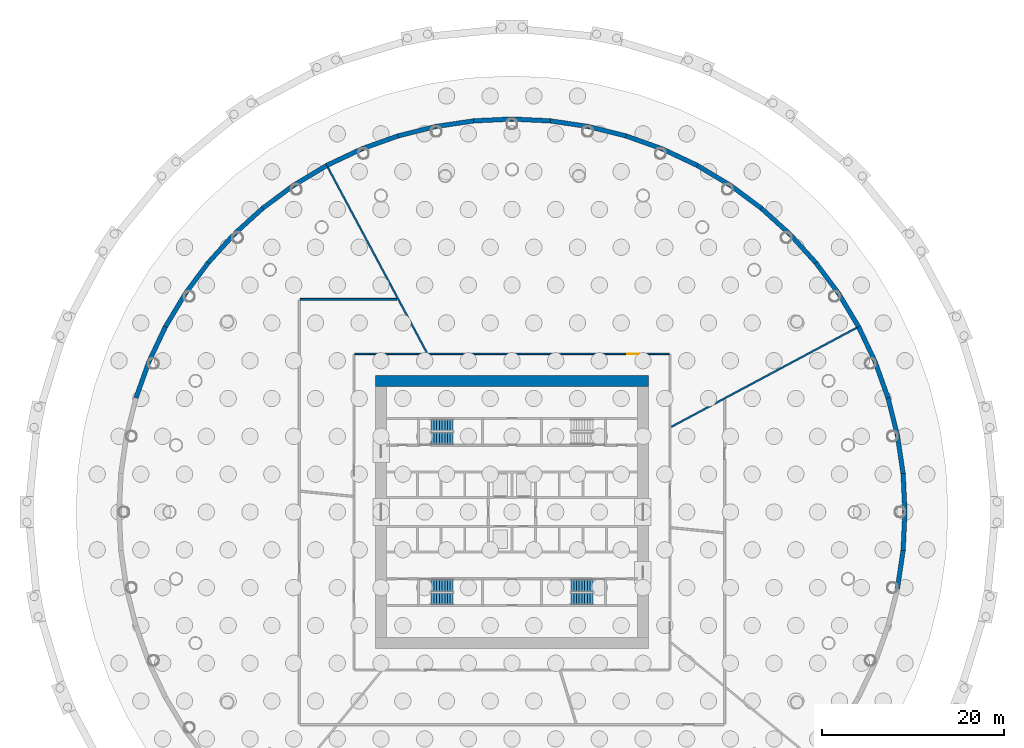
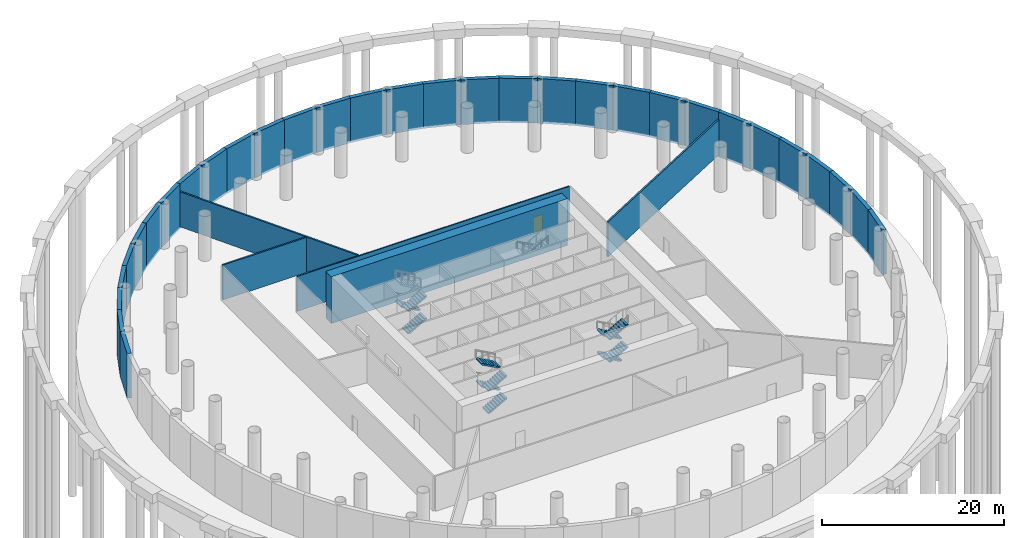
# One storey, part 8 of 12: 36 walls, 11 stair flights, 1 door, 1 opening, 3 elements without a shape of their own.
"""IFC4 building model written with IfcOpenShell, lengths in metres."""

from ifc_helpers import new_model, si_unit, direction, frame, frame_2d, origin, place, context, subcontext, project, spatial, polyline, rectangle, outline, extrude, material, layer, layer_set, type_object, element, fill, aggregate, save


model = new_model("IFC4")

# Units and contexts
model_context = context("Model", 3, precision=1e-05, world=origin(), true_north=direction((0.0, 1.0)))
body_context = subcontext(model_context, "Body", "Model", "MODEL_VIEW")
ifc_project = project(units=[si_unit("LENGTHUNIT", "METRE"), si_unit("AREAUNIT", "SQUARE_METRE"), si_unit("VOLUMEUNIT", "CUBIC_METRE"), si_unit("PLANEANGLEUNIT", "RADIAN"), si_unit("MASSUNIT", "GRAM", prefix="KILO")], contexts=[model_context])

# Site, building, storey
site_placement = place(None, origin())
site = spatial("IfcSite", under=ifc_project, at=site_placement, CompositionType="ELEMENT")
building_placement = place(site_placement, origin())
building = spatial("IfcBuilding", under=site, at=building_placement, Name="Corvane Civic Tower", CompositionType="ELEMENT")
storey_placement = place(building_placement, frame((0.0, 0.0, -6.0)))
storey = spatial("IfcBuildingStorey", under=building, at=storey_placement, Name="B1", CompositionType="ELEMENT", Elevation=-6.0)

# Walls
ifc_material_1 = material(Name="Concrete C40/50", Category="concrete")
ifc_layer_1 = layer(ifc_material_1, 0.5)
ifc_layer_set_1 = layer_set([ifc_layer_1], Name="Concrete C40/50")
wall_type_1 = type_object("IfcWallType", Name="BASEMENT RETAINING WALL 500", PredefinedType="SOLIDWALL", material=ifc_layer_set_1)
wall_1_placement = place(storey_placement, frame((0.0, 0.0, -0.300048828125)))
element("IfcWall", 1, at=wall_1_placement, inside=storey, type_object=wall_type_1, Name="Basement retaining wall 01", PredefinedType="SOLIDWALL", context=body_context, shape_type="SweptSolid", body=[
    extrude(outline(polyline([(0.0, 43.0), (-4.21484375, 42.79296875), (-4.263916015625, 43.291015625), (0.0, 43.50048828125), (0.0, 43.0)])), origin(), (0.0, 0.0, 1.0), 6.0),
])
wall_2_placement = place(storey_placement, frame((0.0, 0.0, -0.300048828125)))
element("IfcWall", 2, at=wall_2_placement, inside=storey, type_object=wall_type_1, Name="Basement retaining wall 02", PredefinedType="SOLIDWALL", context=body_context, shape_type="SweptSolid", body=[
    extrude(outline(polyline([(-4.21484375, 42.79296875), (-8.388916015625, 42.173828125), (-8.486572265625, 42.664794921875), (-4.263916015625, 43.291015625), (-4.21484375, 42.79296875)])), origin(), (0.0, 0.0, 1.0), 6.0),
])
wall_3_placement = place(storey_placement, frame((0.0, 0.0, -0.300048828125)))
element("IfcWall", 3, at=wall_3_placement, inside=storey, type_object=wall_type_1, Name="Basement retaining wall 03", PredefinedType="SOLIDWALL", context=body_context, shape_type="SweptSolid", body=[
    extrude(outline(polyline([(-8.388916015625, 42.173828125), (-12.482177734375, 41.1484375), (-12.62744140625, 41.62744140625), (-8.486572265625, 42.664794921875), (-8.388916015625, 42.173828125)])), origin(), (0.0, 0.0, 1.0), 6.0),
])
wall_4_placement = place(storey_placement, frame((0.0, 0.0, -0.300048828125)))
element("IfcWall", 4, at=wall_4_placement, inside=storey, type_object=wall_type_1, Name="Basement retaining wall 04", PredefinedType="SOLIDWALL", context=body_context, shape_type="SweptSolid", body=[
    extrude(outline(polyline([(-12.482177734375, 41.1484375), (-16.455322265625, 39.726806640625), (-16.64697265625, 40.189208984375), (-12.62744140625, 41.62744140625), (-12.482177734375, 41.1484375)])), origin(), (0.0, 0.0, 1.0), 6.0),
])
wall_5_placement = place(storey_placement, frame((0.0, 0.0, -0.300048828125)))
element("IfcWall", 5, at=wall_5_placement, inside=storey, type_object=wall_type_1, Name="Basement retaining wall 05", PredefinedType="SOLIDWALL", context=body_context, shape_type="SweptSolid", body=[
    extrude(outline(polyline([(-16.455322265625, 39.726806640625), (-20.27001953125, 37.922607421875), (-20.506103515625, 38.364013671875), (-16.64697265625, 40.189208984375), (-16.455322265625, 39.726806640625)])), origin(), (0.0, 0.0, 1.0), 6.0),
])
wall_6_placement = place(storey_placement, frame((0.0, 0.0, -0.300048828125)))
element("IfcWall", 6, at=wall_6_placement, inside=storey, type_object=wall_type_1, Name="Basement retaining wall 06", PredefinedType="SOLIDWALL", context=body_context, shape_type="SweptSolid", body=[
    extrude(outline(polyline([(-20.27001953125, 37.922607421875), (-23.889404296875, 35.753173828125), (-24.167724609375, 36.16943359375), (-20.506103515625, 38.364013671875), (-20.27001953125, 37.922607421875)])), origin(), (0.0, 0.0, 1.0), 6.0),
])
wall_7_placement = place(storey_placement, frame((0.0, 0.0, -0.300048828125)))
element("IfcWall", 7, at=wall_7_placement, inside=storey, type_object=wall_type_1, Name="Basement retaining wall 07", PredefinedType="SOLIDWALL", context=body_context, shape_type="SweptSolid", body=[
    extrude(outline(polyline([(-23.889404296875, 35.753173828125), (-27.27880859375, 33.239501953125), (-27.596435546875, 33.62646484375), (-24.167724609375, 36.16943359375), (-23.889404296875, 35.753173828125)])), origin(), (0.0, 0.0, 1.0), 6.0),
])
wall_8_placement = place(storey_placement, frame((0.0, 0.0, -0.300048828125)))
element("IfcWall", 8, at=wall_8_placement, inside=storey, type_object=wall_type_1, Name="Basement retaining wall 08", PredefinedType="SOLIDWALL", context=body_context, shape_type="SweptSolid", body=[
    extrude(outline(polyline([(-27.27880859375, 33.239501953125), (-30.405517578125, 30.405517578125), (-30.759521484375, 30.759521484375), (-27.596435546875, 33.62646484375), (-27.27880859375, 33.239501953125)])), origin(), (0.0, 0.0, 1.0), 6.0),
])
wall_9_placement = place(storey_placement, frame((0.0, 0.0, -0.300048828125)))
element("IfcWall", 9, at=wall_9_placement, inside=storey, type_object=wall_type_1, Name="Basement retaining wall 09", PredefinedType="SOLIDWALL", context=body_context, shape_type="SweptSolid", body=[
    extrude(outline(polyline([(-30.405517578125, 30.405517578125), (-33.239501953125, 27.27880859375), (-33.62646484375, 27.596435546875), (-30.759521484375, 30.759521484375), (-30.405517578125, 30.405517578125)])), origin(), (0.0, 0.0, 1.0), 6.0),
])
wall_10_placement = place(storey_placement, frame((0.0, 0.0, -0.300048828125)))
element("IfcWall", 10, at=wall_10_placement, inside=storey, type_object=wall_type_1, Name="Basement retaining wall 10", PredefinedType="SOLIDWALL", context=body_context, shape_type="SweptSolid", body=[
    extrude(outline(polyline([(-33.239501953125, 27.27880859375), (-35.753173828125, 23.889404296875), (-36.16943359375, 24.167724609375), (-33.62646484375, 27.596435546875), (-33.239501953125, 27.27880859375)])), origin(), (0.0, 0.0, 1.0), 6.0),
])
wall_11_placement = place(storey_placement, frame((0.0, 0.0, -0.300048828125)))
element("IfcWall", 11, at=wall_11_placement, inside=storey, type_object=wall_type_1, Name="Basement retaining wall 11", PredefinedType="SOLIDWALL", context=body_context, shape_type="SweptSolid", body=[
    extrude(outline(polyline([(-35.753173828125, 23.889404296875), (-37.922607421875, 20.27001953125), (-38.364013671875, 20.506103515625), (-36.16943359375, 24.167724609375), (-35.753173828125, 23.889404296875)])), origin(), (0.0, 0.0, 1.0), 6.0),
])
wall_12_placement = place(storey_placement, frame((0.0, 0.0, -0.300048828125)))
element("IfcWall", 12, at=wall_12_placement, inside=storey, type_object=wall_type_1, Name="Basement retaining wall 12", PredefinedType="SOLIDWALL", context=body_context, shape_type="SweptSolid", body=[
    extrude(outline(polyline([(-37.922607421875, 20.27001953125), (-39.726806640625, 16.455322265625), (-40.189208984375, 16.64697265625), (-38.364013671875, 20.506103515625), (-37.922607421875, 20.27001953125)])), origin(), (0.0, 0.0, 1.0), 6.0),
])
wall_13_placement = place(storey_placement, frame((0.0, 0.0, -0.300048828125)))
element("IfcWall", 13, at=wall_13_placement, inside=storey, type_object=wall_type_1, Name="Basement retaining wall 13", PredefinedType="SOLIDWALL", context=body_context, shape_type="SweptSolid", body=[
    extrude(outline(polyline([(-39.726806640625, 16.455322265625), (-41.1484375, 12.482177734375), (-41.62744140625, 12.62744140625), (-40.189208984375, 16.64697265625), (-39.726806640625, 16.455322265625)])), origin(), (0.0, 0.0, 1.0), 6.0),
])
wall_14_placement = place(storey_placement, frame((0.0, 0.0, -0.300048828125)))
element("IfcWall", 14, at=wall_14_placement, inside=storey, type_object=wall_type_1, Name="Basement retaining wall 47", PredefinedType="SOLIDWALL", context=body_context, shape_type="SweptSolid", body=[
    extrude(outline(polyline([(42.173828125, -8.388916015625), (42.79296875, -4.21484375), (43.291015625, -4.263916015625), (42.664794921875, -8.486572265625), (42.173828125, -8.388916015625)])), origin(), (0.0, 0.0, 1.0), 6.0),
])
wall_15_placement = place(storey_placement, frame((0.0, 0.0, -0.300048828125)))
element("IfcWall", 15, at=wall_15_placement, inside=storey, type_object=wall_type_1, Name="Basement retaining wall 48", PredefinedType="SOLIDWALL", context=body_context, shape_type="SweptSolid", body=[
    extrude(outline(polyline([(42.79296875, -4.21484375), (43.0, 0.0), (43.50048828125, 0.0), (43.291015625, -4.263916015625), (42.79296875, -4.21484375)])), origin(), (0.0, 0.0, 1.0), 6.0),
])
wall_16_placement = place(storey_placement, frame((0.0, 0.0, -0.300048828125)))
element("IfcWall", 16, at=wall_16_placement, inside=storey, type_object=wall_type_1, Name="Basement retaining wall 49", PredefinedType="SOLIDWALL", context=body_context, shape_type="SweptSolid", body=[
    extrude(outline(polyline([(43.0, 0.0), (42.79296875, 4.21484375), (43.291015625, 4.263916015625), (43.50048828125, 0.0), (43.0, 0.0)])), origin(), (0.0, 0.0, 1.0), 6.0),
])
wall_17_placement = place(storey_placement, frame((0.0, 0.0, -0.300048828125)))
element("IfcWall", 17, at=wall_17_placement, inside=storey, type_object=wall_type_1, Name="Basement retaining wall 50", PredefinedType="SOLIDWALL", context=body_context, shape_type="SweptSolid", body=[
    extrude(outline(polyline([(42.79296875, 4.21484375), (42.173828125, 8.388916015625), (42.664794921875, 8.486572265625), (43.291015625, 4.263916015625), (42.79296875, 4.21484375)])), origin(), (0.0, 0.0, 1.0), 6.0),
])
wall_18_placement = place(storey_placement, frame((0.0, 0.0, -0.300048828125)))
element("IfcWall", 18, at=wall_18_placement, inside=storey, type_object=wall_type_1, Name="Basement retaining wall 51", PredefinedType="SOLIDWALL", context=body_context, shape_type="SweptSolid", body=[
    extrude(outline(polyline([(42.173828125, 8.388916015625), (41.1484375, 12.482177734375), (41.62744140625, 12.62744140625), (42.664794921875, 8.486572265625), (42.173828125, 8.388916015625)])), origin(), (0.0, 0.0, 1.0), 6.0),
])
wall_19_placement = place(storey_placement, frame((0.0, 0.0, -0.300048828125)))
element("IfcWall", 19, at=wall_19_placement, inside=storey, type_object=wall_type_1, Name="Basement retaining wall 52", PredefinedType="SOLIDWALL", context=body_context, shape_type="SweptSolid", body=[
    extrude(outline(polyline([(41.1484375, 12.482177734375), (39.726806640625, 16.455322265625), (40.189208984375, 16.64697265625), (41.62744140625, 12.62744140625), (41.1484375, 12.482177734375)])), origin(), (0.0, 0.0, 1.0), 6.0),
])
wall_20_placement = place(storey_placement, frame((0.0, 0.0, -0.300048828125)))
element("IfcWall", 20, at=wall_20_placement, inside=storey, type_object=wall_type_1, Name="Basement retaining wall 53", PredefinedType="SOLIDWALL", context=body_context, shape_type="SweptSolid", body=[
    extrude(outline(polyline([(39.726806640625, 16.455322265625), (37.922607421875, 20.27001953125), (38.364013671875, 20.506103515625), (40.189208984375, 16.64697265625), (39.726806640625, 16.455322265625)])), origin(), (0.0, 0.0, 1.0), 6.0),
])
wall_21_placement = place(storey_placement, frame((0.0, 0.0, -0.300048828125)))
element("IfcWall", 21, at=wall_21_placement, inside=storey, type_object=wall_type_1, Name="Basement retaining wall 54", PredefinedType="SOLIDWALL", context=body_context, shape_type="SweptSolid", body=[
    extrude(outline(polyline([(37.922607421875, 20.27001953125), (35.753173828125, 23.889404296875), (36.16943359375, 24.167724609375), (38.364013671875, 20.506103515625), (37.922607421875, 20.27001953125)])), origin(), (0.0, 0.0, 1.0), 6.0),
])
wall_22_placement = place(storey_placement, frame((0.0, 0.0, -0.300048828125)))
element("IfcWall", 22, at=wall_22_placement, inside=storey, type_object=wall_type_1, Name="Basement retaining wall 55", PredefinedType="SOLIDWALL", context=body_context, shape_type="SweptSolid", body=[
    extrude(outline(polyline([(35.753173828125, 23.889404296875), (33.239501953125, 27.27880859375), (33.62646484375, 27.596435546875), (36.16943359375, 24.167724609375), (35.753173828125, 23.889404296875)])), origin(), (0.0, 0.0, 1.0), 6.0),
])
wall_23_placement = place(storey_placement, frame((0.0, 0.0, -0.300048828125)))
element("IfcWall", 23, at=wall_23_placement, inside=storey, type_object=wall_type_1, Name="Basement retaining wall 56", PredefinedType="SOLIDWALL", context=body_context, shape_type="SweptSolid", body=[
    extrude(outline(polyline([(33.239501953125, 27.27880859375), (30.405517578125, 30.405517578125), (30.759521484375, 30.759521484375), (33.62646484375, 27.596435546875), (33.239501953125, 27.27880859375)])), origin(), (0.0, 0.0, 1.0), 6.0),
])
wall_24_placement = place(storey_placement, frame((0.0, 0.0, -0.300048828125)))
element("IfcWall", 24, at=wall_24_placement, inside=storey, type_object=wall_type_1, Name="Basement retaining wall 57", PredefinedType="SOLIDWALL", context=body_context, shape_type="SweptSolid", body=[
    extrude(outline(polyline([(30.405517578125, 30.405517578125), (27.27880859375, 33.239501953125), (27.596435546875, 33.62646484375), (30.759521484375, 30.759521484375), (30.405517578125, 30.405517578125)])), origin(), (0.0, 0.0, 1.0), 6.0),
])
wall_25_placement = place(storey_placement, frame((0.0, 0.0, -0.300048828125)))
element("IfcWall", 25, at=wall_25_placement, inside=storey, type_object=wall_type_1, Name="Basement retaining wall 58", PredefinedType="SOLIDWALL", context=body_context, shape_type="SweptSolid", body=[
    extrude(outline(polyline([(27.27880859375, 33.239501953125), (23.889404296875, 35.753173828125), (24.167724609375, 36.16943359375), (27.596435546875, 33.62646484375), (27.27880859375, 33.239501953125)])), origin(), (0.0, 0.0, 1.0), 6.0),
])
wall_26_placement = place(storey_placement, frame((0.0, 0.0, -0.300048828125)))
element("IfcWall", 26, at=wall_26_placement, inside=storey, type_object=wall_type_1, Name="Basement retaining wall 59", PredefinedType="SOLIDWALL", context=body_context, shape_type="SweptSolid", body=[
    extrude(outline(polyline([(23.889404296875, 35.753173828125), (20.27001953125, 37.922607421875), (20.506103515625, 38.364013671875), (24.167724609375, 36.16943359375), (23.889404296875, 35.753173828125)])), origin(), (0.0, 0.0, 1.0), 6.0),
])
wall_27_placement = place(storey_placement, frame((0.0, 0.0, -0.300048828125)))
element("IfcWall", 27, at=wall_27_placement, inside=storey, type_object=wall_type_1, Name="Basement retaining wall 60", PredefinedType="SOLIDWALL", context=body_context, shape_type="SweptSolid", body=[
    extrude(outline(polyline([(20.27001953125, 37.922607421875), (16.455322265625, 39.726806640625), (16.64697265625, 40.189208984375), (20.506103515625, 38.364013671875), (20.27001953125, 37.922607421875)])), origin(), (0.0, 0.0, 1.0), 6.0),
])
wall_28_placement = place(storey_placement, frame((0.0, 0.0, -0.300048828125)))
element("IfcWall", 28, at=wall_28_placement, inside=storey, type_object=wall_type_1, Name="Basement retaining wall 61", PredefinedType="SOLIDWALL", context=body_context, shape_type="SweptSolid", body=[
    extrude(outline(polyline([(16.455322265625, 39.726806640625), (12.482177734375, 41.1484375), (12.62744140625, 41.62744140625), (16.64697265625, 40.189208984375), (16.455322265625, 39.726806640625)])), origin(), (0.0, 0.0, 1.0), 6.0),
])
wall_29_placement = place(storey_placement, frame((0.0, 0.0, -0.300048828125)))
element("IfcWall", 29, at=wall_29_placement, inside=storey, type_object=wall_type_1, Name="Basement retaining wall 62", PredefinedType="SOLIDWALL", context=body_context, shape_type="SweptSolid", body=[
    extrude(outline(polyline([(12.482177734375, 41.1484375), (8.388916015625, 42.173828125), (8.486572265625, 42.664794921875), (12.62744140625, 41.62744140625), (12.482177734375, 41.1484375)])), origin(), (0.0, 0.0, 1.0), 6.0),
])
wall_30_placement = place(storey_placement, frame((0.0, 0.0, -0.300048828125)))
element("IfcWall", 30, at=wall_30_placement, inside=storey, type_object=wall_type_1, Name="Basement retaining wall 63", PredefinedType="SOLIDWALL", context=body_context, shape_type="SweptSolid", body=[
    extrude(outline(polyline([(8.388916015625, 42.173828125), (4.21484375, 42.79296875), (4.263916015625, 43.291015625), (8.486572265625, 42.664794921875), (8.388916015625, 42.173828125)])), origin(), (0.0, 0.0, 1.0), 6.0),
])
wall_31_placement = place(storey_placement, frame((0.0, 0.0, -0.300048828125)))
element("IfcWall", 31, at=wall_31_placement, inside=storey, type_object=wall_type_1, Name="Basement retaining wall 64", PredefinedType="SOLIDWALL", context=body_context, shape_type="SweptSolid", body=[
    extrude(outline(polyline([(4.21484375, 42.79296875), (0.0, 43.0), (0.0, 43.50048828125), (4.263916015625, 43.291015625), (4.21484375, 42.79296875)])), origin(), (0.0, 0.0, 1.0), 6.0),
])
ifc_material_2 = material(Name="Concrete C80/95", Category="concrete")
ifc_layer_2 = layer(ifc_material_2, 1.199951171875)
ifc_layer_set_2 = layer_set([ifc_layer_2], Name="Concrete C80/95")
wall_type_2 = type_object("IfcWallType", Name="CORE WALL 1200 C80/95", PredefinedType="SHEAR", material=ifc_layer_set_2)
wall_32_placement = place(storey_placement, frame((-15.0, 14.39990234375, -0.300048828125), z_axis=(0.0, 0.0, 1.0), x_axis=(1.0, 0.0, 0.0)))
element("IfcWall", 32, at=wall_32_placement, inside=storey, type_object=wall_type_2, Name="W-B1-core-N", PredefinedType="SHEAR", context=body_context, shape_type="SweptSolid", body=[
    extrude(rectangle(XDim=30.0, YDim=1.199951171875, at=frame_2d((15.0, 0.0))), origin(), (0.0, 0.0, 1.0), 6.300048828125),
])
ifc_material_3 = material(Name="Gypsum fibreboard")
ifc_layer_3 = layer(ifc_material_3, 0.199951171875)
ifc_layer_set_3 = layer_set([ifc_layer_3], Name="Gypsum fibreboard")
wall_type_3 = type_object("IfcWallType", Name="Plant and refuge wall 200 EI 120", PredefinedType="PARTITIONING", material=ifc_layer_set_3)
for number, where, z_axis, x_axis, name in (
    (33, (17.522216796875, 9.36572265625, 0.0), (0.0, 0.0, 1.0), (0.881918127231, 0.471402605914, 0.0), "Partition B1.014"),
    (34, (-20.270263671875, 37.9228515625, 0.0), (0.0, 0.0, 1.0), (0.471402605914, -0.881918127231, 0.0), "Partition B1.016"),
):
    element("IfcWall", number, at=place(storey_placement, frame(where, z_axis=z_axis, x_axis=x_axis)), inside=storey, type_object=wall_type_3, Name=name, PredefinedType="PARTITIONING", context=body_context, shape_type="SweptSolid", body=[
        extrude(rectangle(XDim=23.132080078125, YDim=0.199951171875, at=frame_2d((11.56591796875, 0.0))), origin(), (0.0, 0.0, 1.0), 4.699951171875),
    ])
wall_33_placement = place(storey_placement, frame((-23.300048828125, 23.39990234375, 0.0), z_axis=(0.0, 0.0, 1.0), x_axis=(1.0, 0.0, 0.0)))
element("IfcWall", 35, at=wall_33_placement, inside=storey, type_object=wall_type_3, Name="Partition B1.017", PredefinedType="PARTITIONING", context=body_context, shape_type="SweptSolid", body=[
    extrude(rectangle(XDim=10.625732421875, YDim=0.199951171875, at=frame_2d((5.31298828125, 0.0))), origin(), (0.0, 0.0, 1.0), 4.699951171875),
])

# Wall, opening, door
ifc_material_4 = material(Name="Plasterboard")
ifc_layer_4 = layer(ifc_material_4, 0.14990234375)
ifc_layer_set_4 = layer_set([ifc_layer_4], Name="Plasterboard")
wall_type_4 = type_object("IfcWallType", Name="Tenancy wall 150 EI 60", PredefinedType="PARTITIONING", material=ifc_layer_set_4)
wall_34_placement = place(storey_placement, frame((-17.324951171875, 17.39990234375, 0.0), z_axis=(0.0, 0.0, 1.0), x_axis=(1.0, 0.0, 0.0)))
wall_34 = element("IfcWall", 36, at=wall_34_placement, inside=storey, type_object=wall_type_4, Name="Partition B1.015", PredefinedType="PARTITIONING", context=body_context, shape_type="SweptSolid", body=[
    extrude(rectangle(XDim=34.64990234375, YDim=0.14990234375, at=frame_2d((17.324951171875, 0.0))), origin(), (0.0, 0.0, 1.0), 4.699951171875),
])
opening_placement = place(wall_34_placement, frame((30.036376953125, 0.0, 0.0)))
opening = element("IfcOpeningElement", 37, at=opening_placement, cuts=wall_34, Name="Opening B1.004", PredefinedType="OPENING", context=body_context, shape_type="SweptSolid", body=[
    extrude(rectangle(XDim=1.199951171875, YDim=2.10009765625, at=frame_2d((0.60009765625, 1.050048828125))), frame((0.0, 0.0849609375, 0.0), z_axis=(0.0, -1.0, 0.0), x_axis=(1.0, 0.0, 0.0)), (0.0, 0.0, 1.0), 0.169921875),
])
ifc_material_5 = material(Name="Steel and timber", Category="steel")
door_type = type_object("IfcDoorType", Name="Fire door FD60 1200", OperationType="NOTDEFINED", PredefinedType="DOOR", material=ifc_material_5)
door_placement = place(opening_placement, origin())
door = element("IfcDoor", 38, at=door_placement, inside=storey, type_object=door_type, Name="Door B1.004", OperationType="SINGLE_SWING_LEFT", OverallHeight=2.10009765625, OverallWidth=1.199951171875, PredefinedType="DOOR", context=body_context, shape_type="SweptSolid", body=[
    extrude(rectangle(XDim=1.199951171875, YDim=2.10009765625, at=frame_2d((0.60009765625, 1.050048828125))), frame((0.0, 0.02490234375, 0.0), z_axis=(0.0, -1.0, 0.0), x_axis=(1.0, 0.0, 0.0)), (0.0, 0.0, 1.0), 0.050048828125),
])
fill(opening, door)

# Stair, stair flights
ifc_material_6 = material(Name="Concrete C40/50", Category="concrete")
stair_type = type_object("IfcStairType", Name="ST-STAIR-HALFTURN", PredefinedType="HALF_TURN_STAIR", material=ifc_material_6)
stair_1_placement = place(storey_placement, origin())
stair_1 = element("IfcStair", 39, at=stair_1_placement, inside=storey, type_object=stair_type, Name="B1 Exit stair ST2", PredefinedType="HALF_TURN_STAIR")
ifc_material_7 = material(Name="Concrete C40/50", Category="concrete")
stair_flight_type = type_object("IfcStairFlightType", Name="ST-FLIGHT-RC", PredefinedType="STRAIGHT", material=ifc_material_7)
stair_flight_1_placement = place(storey_placement, frame((8.89990234375, -8.10009765625, 0.0), z_axis=(0.0, 0.0, 1.0), x_axis=(-1.0, 0.0, 0.0)))
stair_flight_1 = element("IfcStairFlight", 40, at=stair_flight_1_placement, type_object=stair_flight_type, Name="ST2 flight 1", NumberOfRisers=9, NumberOfTreads=8, PredefinedType="STRAIGHT", RiserHeight=0.166666667, TreadLength=0.3, context=body_context, shape_type="SweptSolid", body=[
    extrude(outline(polyline([(0.0, 0.0), (0.0, 0.166748046875), (0.300048828125, 0.166748046875), (0.300048828125, 0.333251953125), (0.60009765625, 0.333251953125), (0.60009765625, 0.5), (0.89990234375, 0.5), (0.89990234375, 0.666748046875), (1.199951171875, 0.666748046875), (1.199951171875, 0.833251953125), (1.5, 0.833251953125), (1.5, 1.0), (1.800048828125, 1.0), (1.800048828125, 1.166748046875), (2.10009765625, 1.166748046875), (2.10009765625, 1.333251953125), (2.39990234375, 1.333251953125), (2.39990234375, 1.5), (2.39990234375, 1.161865234375), (0.30859375, 0.0), (0.0, 0.0)])), frame((0.0, 0.64990234375, 0.0), z_axis=(0.0, -1.0, 0.0), x_axis=(1.0, 0.0, 0.0)), (0.0, 0.0, 1.0), 1.300048828125),
])
stair_flight_2_placement = place(storey_placement, frame((6.5, -9.550048828125, 1.5), z_axis=(0.0, 0.0, 1.0), x_axis=(1.0, 0.0, 0.0)))
stair_flight_2 = element("IfcStairFlight", 41, at=stair_flight_2_placement, type_object=stair_flight_type, Name="ST2 flight 2", NumberOfRisers=9, NumberOfTreads=8, PredefinedType="STRAIGHT", RiserHeight=0.166666667, TreadLength=0.3, context=body_context, shape_type="SweptSolid", body=[
    extrude(outline(polyline([(0.0, 0.0), (0.0, 0.166748046875), (0.300048828125, 0.166748046875), (0.300048828125, 0.333251953125), (0.60009765625, 0.333251953125), (0.60009765625, 0.5), (0.89990234375, 0.5), (0.89990234375, 0.666748046875), (1.199951171875, 0.666748046875), (1.199951171875, 0.833251953125), (1.5, 0.833251953125), (1.5, 1.0), (1.800048828125, 1.0), (1.800048828125, 1.166748046875), (2.10009765625, 1.166748046875), (2.10009765625, 1.333251953125), (2.39990234375, 1.333251953125), (2.39990234375, 1.5), (2.39990234375, 1.161865234375), (0.30859375, 0.0), (0.0, 0.0)])), frame((0.0, 0.64990234375, 0.0), z_axis=(0.0, -1.0, 0.0), x_axis=(1.0, 0.0, 0.0)), (0.0, 0.0, 1.0), 1.300048828125),
])
stair_flight_3_placement = place(storey_placement, frame((8.89990234375, -8.10009765625, 3.0), z_axis=(0.0, 0.0, 1.0), x_axis=(-1.0, 0.0, 0.0)))
stair_flight_3 = element("IfcStairFlight", 42, at=stair_flight_3_placement, type_object=stair_flight_type, Name="ST2 flight 3", NumberOfRisers=9, NumberOfTreads=8, PredefinedType="STRAIGHT", RiserHeight=0.166666667, TreadLength=0.3, context=body_context, shape_type="SweptSolid", body=[
    extrude(outline(polyline([(0.0, 0.0), (0.0, 0.166748046875), (0.300048828125, 0.166748046875), (0.300048828125, 0.333251953125), (0.60009765625, 0.333251953125), (0.60009765625, 0.5), (0.89990234375, 0.5), (0.89990234375, 0.666748046875), (1.199951171875, 0.666748046875), (1.199951171875, 0.833251953125), (1.5, 0.833251953125), (1.5, 1.0), (1.800048828125, 1.0), (1.800048828125, 1.166748046875), (2.10009765625, 1.166748046875), (2.10009765625, 1.333251953125), (2.39990234375, 1.333251953125), (2.39990234375, 1.5), (2.39990234375, 1.161865234375), (0.30859375, 0.0), (0.0, 0.0)])), frame((0.0, 0.64990234375, 0.0), z_axis=(0.0, -1.0, 0.0), x_axis=(1.0, 0.0, 0.0)), (0.0, 0.0, 1.0), 1.300048828125),
])
stair_flight_4_placement = place(storey_placement, frame((6.5, -9.550048828125, 4.5), z_axis=(0.0, 0.0, 1.0), x_axis=(1.0, 0.0, 0.0)))
stair_flight_4 = element("IfcStairFlight", 43, at=stair_flight_4_placement, type_object=stair_flight_type, Name="ST2 flight 4", NumberOfRisers=9, NumberOfTreads=8, PredefinedType="STRAIGHT", RiserHeight=0.166666667, TreadLength=0.3, context=body_context, shape_type="SweptSolid", body=[
    extrude(outline(polyline([(0.0, 0.0), (0.0, 0.166748046875), (0.300048828125, 0.166748046875), (0.300048828125, 0.333251953125), (0.60009765625, 0.333251953125), (0.60009765625, 0.5), (0.89990234375, 0.5), (0.89990234375, 0.666748046875), (1.199951171875, 0.666748046875), (1.199951171875, 0.833251953125), (1.5, 0.833251953125), (1.5, 1.0), (1.800048828125, 1.0), (1.800048828125, 1.166748046875), (2.10009765625, 1.166748046875), (2.10009765625, 1.333251953125), (2.39990234375, 1.333251953125), (2.39990234375, 1.5), (2.39990234375, 1.161865234375), (0.30859375, 0.0), (0.0, 0.0)])), frame((0.0, 0.64990234375, 0.0), z_axis=(0.0, -1.0, 0.0), x_axis=(1.0, 0.0, 0.0)), (0.0, 0.0, 1.0), 1.300048828125),
])
aggregate(stair_1, [stair_flight_1, stair_flight_2, stair_flight_3, stair_flight_4])

stair_2_placement = place(storey_placement, origin())
stair_2 = element("IfcStair", 44, at=stair_2_placement, inside=storey, type_object=stair_type, Name="B1 Exit stair ST3", PredefinedType="HALF_TURN_STAIR")
stair_flight_5_placement = place(storey_placement, frame((-8.89990234375, -9.550048828125, 0.0), z_axis=(0.0, 0.0, 1.0), x_axis=(1.0, 0.0, 0.0)))
stair_flight_5 = element("IfcStairFlight", 45, at=stair_flight_5_placement, type_object=stair_flight_type, Name="ST3 flight 1", NumberOfRisers=9, NumberOfTreads=8, PredefinedType="STRAIGHT", RiserHeight=0.166666667, TreadLength=0.3, context=body_context, shape_type="SweptSolid", body=[
    extrude(outline(polyline([(0.0, 0.0), (0.0, 0.166748046875), (0.300048828125, 0.166748046875), (0.300048828125, 0.333251953125), (0.60009765625, 0.333251953125), (0.60009765625, 0.5), (0.89990234375, 0.5), (0.89990234375, 0.666748046875), (1.199951171875, 0.666748046875), (1.199951171875, 0.833251953125), (1.5, 0.833251953125), (1.5, 1.0), (1.800048828125, 1.0), (1.800048828125, 1.166748046875), (2.10009765625, 1.166748046875), (2.10009765625, 1.333251953125), (2.39990234375, 1.333251953125), (2.39990234375, 1.5), (2.39990234375, 1.161865234375), (0.30859375, 0.0), (0.0, 0.0)])), frame((0.0, 0.64990234375, 0.0), z_axis=(0.0, -1.0, 0.0), x_axis=(1.0, 0.0, 0.0)), (0.0, 0.0, 1.0), 1.300048828125),
])
stair_flight_6_placement = place(storey_placement, frame((-6.5, -8.10009765625, 1.5), z_axis=(0.0, 0.0, 1.0), x_axis=(-1.0, 0.0, 0.0)))
stair_flight_6 = element("IfcStairFlight", 46, at=stair_flight_6_placement, type_object=stair_flight_type, Name="ST3 flight 2", NumberOfRisers=9, NumberOfTreads=8, PredefinedType="STRAIGHT", RiserHeight=0.166666667, TreadLength=0.3, context=body_context, shape_type="SweptSolid", body=[
    extrude(outline(polyline([(0.0, 0.0), (0.0, 0.166748046875), (0.300048828125, 0.166748046875), (0.300048828125, 0.333251953125), (0.60009765625, 0.333251953125), (0.60009765625, 0.5), (0.89990234375, 0.5), (0.89990234375, 0.666748046875), (1.199951171875, 0.666748046875), (1.199951171875, 0.833251953125), (1.5, 0.833251953125), (1.5, 1.0), (1.800048828125, 1.0), (1.800048828125, 1.166748046875), (2.10009765625, 1.166748046875), (2.10009765625, 1.333251953125), (2.39990234375, 1.333251953125), (2.39990234375, 1.5), (2.39990234375, 1.161865234375), (0.30859375, 0.0), (0.0, 0.0)])), frame((0.0, 0.64990234375, 0.0), z_axis=(0.0, -1.0, 0.0), x_axis=(1.0, 0.0, 0.0)), (0.0, 0.0, 1.0), 1.300048828125),
])
stair_flight_7_placement = place(storey_placement, frame((-8.89990234375, -9.550048828125, 3.0), z_axis=(0.0, 0.0, 1.0), x_axis=(1.0, 0.0, 0.0)))
stair_flight_7 = element("IfcStairFlight", 47, at=stair_flight_7_placement, type_object=stair_flight_type, Name="ST3 flight 3", NumberOfRisers=9, NumberOfTreads=8, PredefinedType="STRAIGHT", RiserHeight=0.166666667, TreadLength=0.3, context=body_context, shape_type="SweptSolid", body=[
    extrude(outline(polyline([(0.0, 0.0), (0.0, 0.166748046875), (0.300048828125, 0.166748046875), (0.300048828125, 0.333251953125), (0.60009765625, 0.333251953125), (0.60009765625, 0.5), (0.89990234375, 0.5), (0.89990234375, 0.666748046875), (1.199951171875, 0.666748046875), (1.199951171875, 0.833251953125), (1.5, 0.833251953125), (1.5, 1.0), (1.800048828125, 1.0), (1.800048828125, 1.166748046875), (2.10009765625, 1.166748046875), (2.10009765625, 1.333251953125), (2.39990234375, 1.333251953125), (2.39990234375, 1.5), (2.39990234375, 1.161865234375), (0.30859375, 0.0), (0.0, 0.0)])), frame((0.0, 0.64990234375, 0.0), z_axis=(0.0, -1.0, 0.0), x_axis=(1.0, 0.0, 0.0)), (0.0, 0.0, 1.0), 1.300048828125),
])
stair_flight_8_placement = place(storey_placement, frame((-6.5, -8.10009765625, 4.5), z_axis=(0.0, 0.0, 1.0), x_axis=(-1.0, 0.0, 0.0)))
stair_flight_8 = element("IfcStairFlight", 48, at=stair_flight_8_placement, type_object=stair_flight_type, Name="ST3 flight 4", NumberOfRisers=9, NumberOfTreads=8, PredefinedType="STRAIGHT", RiserHeight=0.166666667, TreadLength=0.3, context=body_context, shape_type="SweptSolid", body=[
    extrude(outline(polyline([(0.0, 0.0), (0.0, 0.166748046875), (0.300048828125, 0.166748046875), (0.300048828125, 0.333251953125), (0.60009765625, 0.333251953125), (0.60009765625, 0.5), (0.89990234375, 0.5), (0.89990234375, 0.666748046875), (1.199951171875, 0.666748046875), (1.199951171875, 0.833251953125), (1.5, 0.833251953125), (1.5, 1.0), (1.800048828125, 1.0), (1.800048828125, 1.166748046875), (2.10009765625, 1.166748046875), (2.10009765625, 1.333251953125), (2.39990234375, 1.333251953125), (2.39990234375, 1.5), (2.39990234375, 1.161865234375), (0.30859375, 0.0), (0.0, 0.0)])), frame((0.0, 0.64990234375, 0.0), z_axis=(0.0, -1.0, 0.0), x_axis=(1.0, 0.0, 0.0)), (0.0, 0.0, 1.0), 1.300048828125),
])
aggregate(stair_2, [stair_flight_5, stair_flight_6, stair_flight_7, stair_flight_8])

stair_3_placement = place(storey_placement, origin())
stair_3 = element("IfcStair", 49, at=stair_3_placement, inside=storey, type_object=stair_type, Name="B1 Exit stair ST4", PredefinedType="HALF_TURN_STAIR")
stair_flight_9_placement = place(storey_placement, frame((-8.89990234375, 8.10009765625, 0.0), z_axis=(0.0, 0.0, 1.0), x_axis=(1.0, 0.0, 0.0)))
stair_flight_9 = element("IfcStairFlight", 50, at=stair_flight_9_placement, type_object=stair_flight_type, Name="ST4 flight 1", NumberOfRisers=9, NumberOfTreads=8, PredefinedType="STRAIGHT", RiserHeight=0.166666667, TreadLength=0.3, context=body_context, shape_type="SweptSolid", body=[
    extrude(outline(polyline([(0.0, 0.0), (0.0, 0.166748046875), (0.300048828125, 0.166748046875), (0.300048828125, 0.333251953125), (0.60009765625, 0.333251953125), (0.60009765625, 0.5), (0.89990234375, 0.5), (0.89990234375, 0.666748046875), (1.199951171875, 0.666748046875), (1.199951171875, 0.833251953125), (1.5, 0.833251953125), (1.5, 1.0), (1.800048828125, 1.0), (1.800048828125, 1.166748046875), (2.10009765625, 1.166748046875), (2.10009765625, 1.333251953125), (2.39990234375, 1.333251953125), (2.39990234375, 1.5), (2.39990234375, 1.161865234375), (0.30859375, 0.0), (0.0, 0.0)])), frame((0.0, 0.64990234375, 0.0), z_axis=(0.0, -1.0, 0.0), x_axis=(1.0, 0.0, 0.0)), (0.0, 0.0, 1.0), 1.300048828125),
])
stair_flight_10_placement = place(storey_placement, frame((-6.5, 9.550048828125, 1.5), z_axis=(0.0, 0.0, 1.0), x_axis=(-1.0, 0.0, 0.0)))
stair_flight_10 = element("IfcStairFlight", 51, at=stair_flight_10_placement, type_object=stair_flight_type, Name="ST4 flight 2", NumberOfRisers=9, NumberOfTreads=8, PredefinedType="STRAIGHT", RiserHeight=0.166666667, TreadLength=0.3, context=body_context, shape_type="SweptSolid", body=[
    extrude(outline(polyline([(0.0, 0.0), (0.0, 0.166748046875), (0.300048828125, 0.166748046875), (0.300048828125, 0.333251953125), (0.60009765625, 0.333251953125), (0.60009765625, 0.5), (0.89990234375, 0.5), (0.89990234375, 0.666748046875), (1.199951171875, 0.666748046875), (1.199951171875, 0.833251953125), (1.5, 0.833251953125), (1.5, 1.0), (1.800048828125, 1.0), (1.800048828125, 1.166748046875), (2.10009765625, 1.166748046875), (2.10009765625, 1.333251953125), (2.39990234375, 1.333251953125), (2.39990234375, 1.5), (2.39990234375, 1.161865234375), (0.30859375, 0.0), (0.0, 0.0)])), frame((0.0, 0.64990234375, 0.0), z_axis=(0.0, -1.0, 0.0), x_axis=(1.0, 0.0, 0.0)), (0.0, 0.0, 1.0), 1.300048828125),
])
stair_flight_11_placement = place(storey_placement, frame((-8.89990234375, 8.10009765625, 3.0), z_axis=(0.0, 0.0, 1.0), x_axis=(1.0, 0.0, 0.0)))
stair_flight_11 = element("IfcStairFlight", 52, at=stair_flight_11_placement, type_object=stair_flight_type, Name="ST4 flight 3", NumberOfRisers=9, NumberOfTreads=8, PredefinedType="STRAIGHT", RiserHeight=0.166666667, TreadLength=0.3, context=body_context, shape_type="SweptSolid", body=[
    extrude(outline(polyline([(0.0, 0.0), (0.0, 0.166748046875), (0.300048828125, 0.166748046875), (0.300048828125, 0.333251953125), (0.60009765625, 0.333251953125), (0.60009765625, 0.5), (0.89990234375, 0.5), (0.89990234375, 0.666748046875), (1.199951171875, 0.666748046875), (1.199951171875, 0.833251953125), (1.5, 0.833251953125), (1.5, 1.0), (1.800048828125, 1.0), (1.800048828125, 1.166748046875), (2.10009765625, 1.166748046875), (2.10009765625, 1.333251953125), (2.39990234375, 1.333251953125), (2.39990234375, 1.5), (2.39990234375, 1.161865234375), (0.30859375, 0.0), (0.0, 0.0)])), frame((0.0, 0.64990234375, 0.0), z_axis=(0.0, -1.0, 0.0), x_axis=(1.0, 0.0, 0.0)), (0.0, 0.0, 1.0), 1.300048828125),
])
aggregate(stair_3, [stair_flight_9, stair_flight_10, stair_flight_11])

save(model, "model.ifc")
